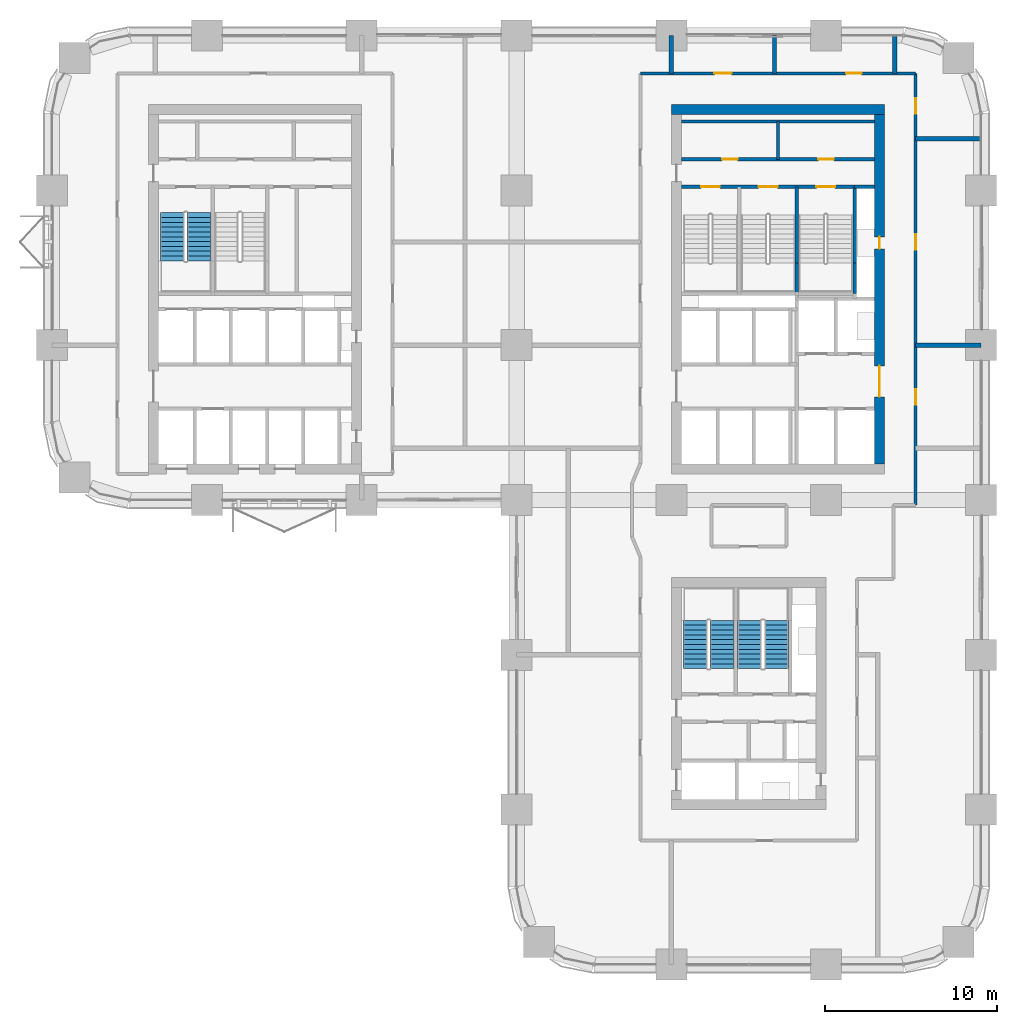
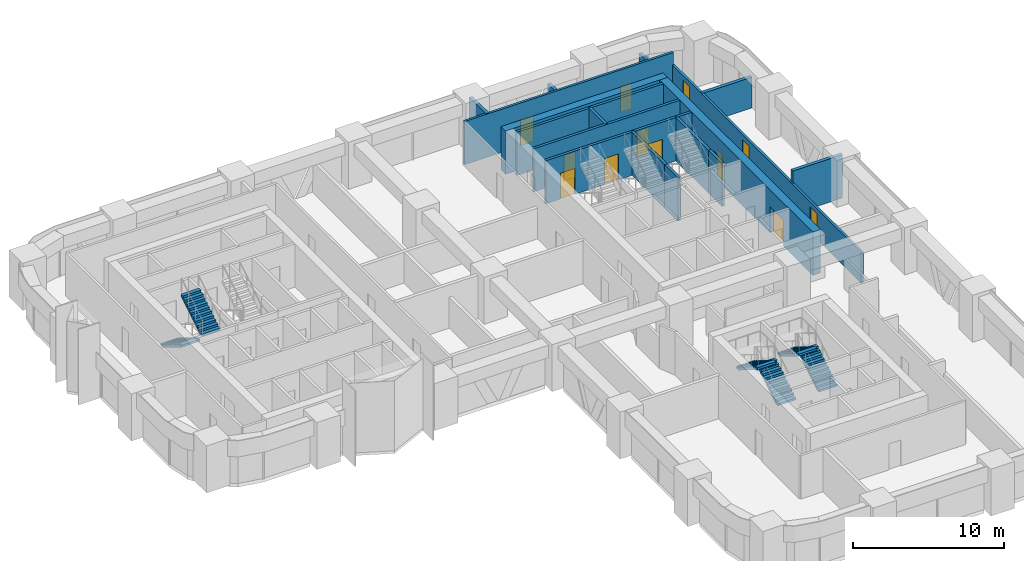
# One storey, part 15 of 18: 18 walls, 12 doors, 6 stair flights, 12 openings, 3 elements without a shape of their own.
"""IFC4 building model written with IfcOpenShell, lengths in metres."""

from ifc_helpers import new_model, si_unit, direction, frame, frame_2d, origin, place, context, subcontext, project, spatial, polyline, rectangle, outline, extrude, material, layer, layer_set, type_object, element, fill, aggregate, save


model = new_model("IFC4")

# Units and contexts
model_context = context("Model", 3, precision=1e-05, world=origin(), true_north=direction((0.0, 1.0)))
body_context = subcontext(model_context, "Body", "Model", "MODEL_VIEW")
ifc_project = project(units=[si_unit("LENGTHUNIT", "METRE"), si_unit("AREAUNIT", "SQUARE_METRE"), si_unit("VOLUMEUNIT", "CUBIC_METRE"), si_unit("PLANEANGLEUNIT", "RADIAN"), si_unit("MASSUNIT", "GRAM", prefix="KILO")], contexts=[model_context])

# Site, building, storey
site_placement = place(None, origin())
site = spatial("IfcSite", under=ifc_project, at=site_placement, CompositionType="ELEMENT")
building_placement = place(site_placement, origin())
building = spatial("IfcBuilding", under=site, at=building_placement, Name="Tessera Arch", CompositionType="ELEMENT")
storey_placement = place(building_placement, frame((0.0, 0.0, 115.800048828125)))
storey = spatial("IfcBuildingStorey", under=building, at=storey_placement, Name="L27", CompositionType="ELEMENT", Elevation=115.800048828125)

# Wall
ifc_material_1 = material(Name="Gypsum board on steel stud", Category="steel")
ifc_layer_1 = layer(ifc_material_1, 0.125)
ifc_layer_set_1 = layer_set([ifc_layer_1], Name="Core partition 125 EI 60")
wall_type_1 = type_object("IfcWallType", Name="Core partition 125 EI 60", PredefinedType="PARTITIONING", material=ifc_layer_set_1)
wall_1_placement = place(storey_placement, frame((42.199951171875, 46.800048828125, 0.0), z_axis=(0.0, 0.0, 1.0), x_axis=(0.0, 1.0, 0.0)))
element("IfcWall", 1, at=wall_1_placement, inside=storey, type_object=wall_type_1, Name="L27 C1 partition wall 7", PredefinedType="PARTITIONING", context=body_context, shape_type="SweptSolid", body=[
    extrude(rectangle(XDim=2.199951171875, YDim=0.199951171875, at=frame_2d((1.10009765625, 0.0))), origin(), (0.0, 0.0, 1.0), 3.5),
])

# Wall, openings, doors
wall_2_placement = place(storey_placement, frame((36.60009765625, 46.800048828125, 0.0), z_axis=(0.0, 0.0, 1.0), x_axis=(1.0, 0.0, 0.0)))
wall_2 = element("IfcWall", 2, at=wall_2_placement, inside=storey, type_object=wall_type_1, Name="L27 C1 partition wall 31", PredefinedType="PARTITIONING", context=body_context, shape_type="SweptSolid", body=[
    extrude(rectangle(XDim=11.199951171875, YDim=0.199951171875, at=frame_2d((5.60009765625, 0.0))), origin(), (0.0, 0.0, 1.0), 3.5),
])
opening_1_placement = place(wall_2_placement, frame((2.35009765625, 0.0, 0.0)))
opening_1 = element("IfcOpeningElement", 3, at=opening_1_placement, cuts=wall_2, Name="Opening L27-C12", PredefinedType="OPENING", context=body_context, shape_type="SweptSolid", body=[
    extrude(rectangle(XDim=0.89990234375, YDim=2.10009765625, at=frame_2d((0.449951171875, 1.050048828125))), frame((0.0, 0.10986328125, 0.0), z_axis=(0.0, -1.0, 0.0), x_axis=(1.0, 0.0, 0.0)), (0.0, 0.0, 1.0), 0.219970703125),
])
opening_2_placement = place(wall_2_placement, frame((7.949951171875, 0.0, 0.0)))
opening_2 = element("IfcOpeningElement", 4, at=opening_2_placement, cuts=wall_2, Name="Opening L27-C13", PredefinedType="OPENING", context=body_context, shape_type="SweptSolid", body=[
    extrude(rectangle(XDim=0.89990234375, YDim=2.10009765625, at=frame_2d((0.449951171875, 1.050048828125))), frame((0.0, 0.10986328125, 0.0), z_axis=(0.0, -1.0, 0.0), x_axis=(1.0, 0.0, 0.0)), (0.0, 0.0, 1.0), 0.219970703125),
])
ifc_material_2 = material(Name="Steel door leaf", Category="steel")
door_type_1 = type_object("IfcDoorType", Name="Store door FD30S 900 x 2100", OperationType="SINGLE_SWING_LEFT", PredefinedType="DOOR", material=ifc_material_2)
door_1_placement = place(opening_1_placement, origin())
door_1 = element("IfcDoor", 5, at=door_1_placement, inside=storey, type_object=door_type_1, Name="L27 C1 door 12 C12 type D09", OperationType="SINGLE_SWING_LEFT", OverallHeight=2.10009765625, OverallWidth=0.89990234375, PredefinedType="DOOR", context=body_context, shape_type="SweptSolid", body=[
    extrude(rectangle(XDim=0.89990234375, YDim=2.10009765625, at=frame_2d((0.449951171875, 1.050048828125))), frame((0.0, 0.02490234375, 0.0), z_axis=(0.0, -1.0, 0.0), x_axis=(1.0, 0.0, 0.0)), (0.0, 0.0, 1.0), 0.050048828125),
])
fill(opening_1, door_1)
door_2_placement = place(opening_2_placement, origin())
door_2 = element("IfcDoor", 6, at=door_2_placement, inside=storey, type_object=door_type_1, Name="L27 C1 door 13 C13 type D09", OperationType="SINGLE_SWING_RIGHT", OverallHeight=2.10009765625, OverallWidth=0.89990234375, PredefinedType="DOOR", context=body_context, shape_type="SweptSolid", body=[
    extrude(rectangle(XDim=0.89990234375, YDim=2.10009765625, at=frame_2d((0.449951171875, 1.050048828125))), frame((0.0, 0.02490234375, 0.0), z_axis=(0.0, -1.0, 0.0), x_axis=(1.0, 0.0, 0.0)), (0.0, 0.0, 1.0), 0.050048828125),
])
fill(opening_2, door_2)

# Walls
wall_3_placement = place(storey_placement, frame((36.60009765625, 49.0, 0.0), z_axis=(0.0, 0.0, 1.0), x_axis=(1.0, 0.0, 0.0)))
element("IfcWall", 7, at=wall_3_placement, inside=storey, type_object=wall_type_1, Name="L27 C1 partition wall 32", PredefinedType="PARTITIONING", context=body_context, shape_type="SweptSolid", body=[
    extrude(rectangle(XDim=11.199951171875, YDim=0.199951171875, at=frame_2d((5.60009765625, 0.0))), origin(), (0.0, 0.0, 1.0), 3.5),
])
ifc_material_3 = material(Name="Concrete C70/85", Category="concrete")
ifc_layer_2 = layer(ifc_material_3, 0.60009765625)
ifc_layer_set_2 = layer_set([ifc_layer_2], Name="Core shell wall 600 C70-85")
wall_type_2 = type_object("IfcWallType", Name="Core shell wall 600 C70-85", PredefinedType="SHEAR", material=ifc_layer_set_2)
wall_4_placement = place(storey_placement, frame((36.0, 49.699951171875, 0.0), z_axis=(0.0, 0.0, 1.0), x_axis=(1.0, 0.0, 0.0)))
element("IfcWall", 8, at=wall_4_placement, inside=storey, type_object=wall_type_2, Name="L27 C1 core wall N", PredefinedType="SHEAR", context=body_context, shape_type="SweptSolid", body=[
    extrude(rectangle(XDim=12.39990234375, YDim=0.60009765625, at=frame_2d((6.199951171875, 0.0))), origin(), (0.0, 0.0, 1.0), 3.5),
])

# Wall, openings, doors
wall_5_placement = place(storey_placement, frame((48.10009765625, 29.10009765625, 0.0), z_axis=(0.0, 0.0, 1.0), x_axis=(0.0, 1.0, 0.0)))
wall_5 = element("IfcWall", 9, at=wall_5_placement, inside=storey, type_object=wall_type_2, Name="L27 C1 core wall E", PredefinedType="SHEAR", context=body_context, shape_type="SweptSolid", body=[
    extrude(rectangle(XDim=20.2998046875, YDim=0.60009765625, at=frame_2d((10.14990234375, 0.0))), origin(), (0.0, 0.0, 1.0), 3.5),
])
opening_3_placement = place(wall_5_placement, frame((12.5, 0.0, 0.0)))
opening_3 = element("IfcOpeningElement", 10, at=opening_3_placement, cuts=wall_5, Name="Opening L27-C08", PredefinedType="OPENING", context=body_context, shape_type="SweptSolid", body=[
    extrude(rectangle(XDim=0.699951171875, YDim=2.10009765625, at=frame_2d((0.35009765625, 1.050048828125))), frame((0.0, 0.31005859375, 0.0), z_axis=(0.0, -1.0, 0.0), x_axis=(1.0, 0.0, 0.0)), (0.0, 0.0, 1.0), 0.6201171875),
])
opening_4_placement = place(wall_5_placement, frame((3.89990234375, 0.0, 0.0)))
opening_4 = element("IfcOpeningElement", 11, at=opening_4_placement, cuts=wall_5, Name="Opening L27-C09", PredefinedType="OPENING", context=body_context, shape_type="SweptSolid", body=[
    extrude(rectangle(XDim=1.800048828125, YDim=2.10009765625, at=frame_2d((0.89990234375, 1.050048828125))), frame((0.0, 0.31005859375, 0.0), z_axis=(0.0, -1.0, 0.0), x_axis=(1.0, 0.0, 0.0)), (0.0, 0.0, 1.0), 0.6201171875),
])
ifc_material_4 = material(Name="Glazed steel door leaf", Category="steel")
door_type_2 = type_object("IfcDoorType", Name="Lobby double door FD60 1800 x 2100", OperationType="DOUBLE_DOOR_SINGLE_SWING", PredefinedType="DOOR", material=ifc_material_4)
door_3_placement = place(opening_4_placement, origin())
door_3 = element("IfcDoor", 12, at=door_3_placement, inside=storey, type_object=door_type_2, Name="L27 C1 door 9 C09 type D19", OperationType="DOUBLE_DOOR_SINGLE_SWING", OverallHeight=2.10009765625, OverallWidth=1.800048828125, PredefinedType="DOOR", context=body_context, shape_type="SweptSolid", body=[
    extrude(rectangle(XDim=1.800048828125, YDim=2.10009765625, at=frame_2d((0.89990234375, 1.050048828125))), frame((0.0, 0.02490234375, 0.0), z_axis=(0.0, -1.0, 0.0), x_axis=(1.0, 0.0, 0.0)), (0.0, 0.0, 1.0), 0.050048828125),
])
fill(opening_4, door_3)
ifc_material_5 = material(Name="Steel door leaf", Category="steel")
door_type_3 = type_object("IfcDoorType", Name="Service shaft door FD60 700 x 2100", OperationType="SINGLE_SWING_LEFT", PredefinedType="DOOR", material=ifc_material_5)
door_4_placement = place(opening_3_placement, origin())
door_4 = element("IfcDoor", 13, at=door_4_placement, inside=storey, type_object=door_type_3, Name="L27 C1 door 8 C08 type D07", OperationType="SINGLE_SWING_RIGHT", OverallHeight=2.10009765625, OverallWidth=0.699951171875, PredefinedType="DOOR", context=body_context, shape_type="SweptSolid", body=[
    extrude(rectangle(XDim=0.699951171875, YDim=2.10009765625, at=frame_2d((0.35009765625, 1.050048828125))), frame((0.0, 0.02490234375, 0.0), z_axis=(0.0, -1.0, 0.0), x_axis=(1.0, 0.0, 0.0)), (0.0, 0.0, 1.0), 0.050048828125),
])
fill(opening_3, door_4)

ifc_material_6 = material(Name="Gypsum board on deep steel stud with mineral wool", Category="steel")
ifc_layer_3 = layer(ifc_material_6, 0.175048828125)
ifc_layer_set_3 = layer_set([ifc_layer_3], Name="Corridor wall 175 EI 60")
wall_type_3 = type_object("IfcWallType", Name="Corridor wall 175 EI 60", PredefinedType="PARTITIONING", material=ifc_layer_set_3)
wall_6_placement = place(storey_placement, frame((34.199951171875, 51.800048828125, 0.0), z_axis=(0.0, 0.0, 1.0), x_axis=(1.0, 0.0, 0.0)))
wall_6 = element("IfcWall", 14, at=wall_6_placement, inside=storey, type_object=wall_type_3, Name="L27 partition 9", PredefinedType="PARTITIONING", context=body_context, shape_type="SweptSolid", body=[
    extrude(rectangle(XDim=16.0, YDim=0.175048828125, at=frame_2d((8.0, 0.0))), origin(), (0.0, 0.0, 1.0), 3.5),
])
opening_5_placement = place(wall_6_placement, frame((4.300048828125, 0.0, 0.0)))
opening_5 = element("IfcOpeningElement", 15, at=opening_5_placement, cuts=wall_6, Name="Opening L27-D020", PredefinedType="OPENING", context=body_context, shape_type="SweptSolid", body=[
    extrude(rectangle(XDim=1.0, YDim=2.10009765625, at=frame_2d((0.5, 1.050048828125))), frame((0.0, 0.097412109375, 0.0), z_axis=(0.0, -1.0, 0.0), x_axis=(1.0, 0.0, 0.0)), (0.0, 0.0, 1.0), 0.195068359375),
])
opening_6_placement = place(wall_6_placement, frame((11.963134765625, 0.0, 0.0)))
opening_6 = element("IfcOpeningElement", 16, at=opening_6_placement, cuts=wall_6, Name="Opening L27-D021", PredefinedType="OPENING", context=body_context, shape_type="SweptSolid", body=[
    extrude(rectangle(XDim=0.89990234375, YDim=2.10009765625, at=frame_2d((0.449951171875, 1.050048828125))), frame((0.0, 0.097412109375, 0.0), z_axis=(0.0, -1.0, 0.0), x_axis=(1.0, 0.0, 0.0)), (0.0, 0.0, 1.0), 0.195068359375),
])
ifc_material_7 = material(Name="Fire-rated door leaf")
door_type_4 = type_object("IfcDoorType", Name="Entrance door FD30S 1000 x 2100", OperationType="SINGLE_SWING_LEFT", PredefinedType="DOOR", material=ifc_material_7)
door_5_placement = place(opening_5_placement, origin())
door_5 = element("IfcDoor", 17, at=door_5_placement, inside=storey, type_object=door_type_4, Name="L27 door D020 type D03", OperationType="SINGLE_SWING_RIGHT", OverallHeight=2.10009765625, OverallWidth=1.0, PredefinedType="DOOR", context=body_context, shape_type="SweptSolid", body=[
    extrude(rectangle(XDim=1.0, YDim=2.10009765625, at=frame_2d((0.5, 1.050048828125))), frame((0.0, 0.02490234375, 0.0), z_axis=(0.0, -1.0, 0.0), x_axis=(1.0, 0.0, 0.0)), (0.0, 0.0, 1.0), 0.050048828125),
])
fill(opening_5, door_5)
ifc_material_8 = material(Name="Timber door leaf", Category="wood")
door_type_5 = type_object("IfcDoorType", Name="Room door 900 x 2100", OperationType="SINGLE_SWING_LEFT", PredefinedType="DOOR", material=ifc_material_8)
door_6_placement = place(opening_6_placement, origin())
door_6 = element("IfcDoor", 18, at=door_6_placement, inside=storey, type_object=door_type_5, Name="L27 door D021 type D01", OperationType="SINGLE_SWING_LEFT", OverallHeight=2.10009765625, OverallWidth=0.89990234375, PredefinedType="DOOR", context=body_context, shape_type="SweptSolid", body=[
    extrude(rectangle(XDim=0.89990234375, YDim=2.10009765625, at=frame_2d((0.449951171875, 1.050048828125))), frame((0.0, 0.02490234375, 0.0), z_axis=(0.0, -1.0, 0.0), x_axis=(1.0, 0.0, 0.0)), (0.0, 0.0, 1.0), 0.050048828125),
])
fill(opening_6, door_6)

wall_7_placement = place(storey_placement, frame((50.199951171875, 26.699951171875, 0.0), z_axis=(0.0, 0.0, 1.0), x_axis=(0.0, 1.0, 0.0)))
wall_7 = element("IfcWall", 19, at=wall_7_placement, inside=storey, type_object=wall_type_3, Name="L27 partition 19", PredefinedType="PARTITIONING", context=body_context, shape_type="SweptSolid", body=[
    extrude(rectangle(XDim=25.10009765625, YDim=0.175048828125, at=frame_2d((12.550048828125, 0.0))), origin(), (0.0, 0.0, 1.0), 2.5),
])
opening_7_placement = place(wall_7_placement, frame((5.85009765625, 0.0, 0.0)))
opening_7 = element("IfcOpeningElement", 20, at=opening_7_placement, cuts=wall_7, Name="Opening L27-D011", PredefinedType="OPENING", context=body_context, shape_type="SweptSolid", body=[
    extrude(rectangle(XDim=0.89990234375, YDim=2.10009765625, at=frame_2d((0.449951171875, 1.050048828125))), frame((0.0, 0.097412109375, 0.0), z_axis=(0.0, -1.0, 0.0), x_axis=(1.0, 0.0, 0.0)), (0.0, 0.0, 1.0), 0.195068359375),
])
opening_8_placement = place(wall_7_placement, frame((14.85009765625, 0.0, 0.0)))
opening_8 = element("IfcOpeningElement", 21, at=opening_8_placement, cuts=wall_7, Name="Opening L27-D014", PredefinedType="OPENING", context=body_context, shape_type="SweptSolid", body=[
    extrude(rectangle(XDim=0.89990234375, YDim=2.10009765625, at=frame_2d((0.449951171875, 1.050048828125))), frame((0.0, 0.097412109375, 0.0), z_axis=(0.0, -1.0, 0.0), x_axis=(1.0, 0.0, 0.0)), (0.0, 0.0, 1.0), 0.195068359375),
])
opening_9_placement = place(wall_7_placement, frame((22.75, 0.0, 0.0)))
opening_9 = element("IfcOpeningElement", 22, at=opening_9_placement, cuts=wall_7, Name="Opening L27-D018", PredefinedType="OPENING", context=body_context, shape_type="SweptSolid", body=[
    extrude(rectangle(XDim=0.89990234375, YDim=2.10009765625, at=frame_2d((0.449951171875, 1.050048828125))), frame((0.0, 0.097412109375, 0.0), z_axis=(0.0, -1.0, 0.0), x_axis=(1.0, 0.0, 0.0)), (0.0, 0.0, 1.0), 0.195068359375),
])
door_7_placement = place(opening_7_placement, origin())
door_7 = element("IfcDoor", 23, at=door_7_placement, inside=storey, type_object=door_type_5, Name="L27 door D011 type D01", OperationType="SINGLE_SWING_RIGHT", OverallHeight=2.10009765625, OverallWidth=0.89990234375, PredefinedType="DOOR", context=body_context, shape_type="SweptSolid", body=[
    extrude(rectangle(XDim=0.89990234375, YDim=2.10009765625, at=frame_2d((0.449951171875, 1.050048828125))), frame((0.0, 0.02490234375, 0.0), z_axis=(0.0, -1.0, 0.0), x_axis=(1.0, 0.0, 0.0)), (0.0, 0.0, 1.0), 0.050048828125),
])
fill(opening_7, door_7)
door_8_placement = place(opening_8_placement, origin())
door_8 = element("IfcDoor", 24, at=door_8_placement, inside=storey, type_object=door_type_5, Name="L27 door D014 type D01", OperationType="SINGLE_SWING_LEFT", OverallHeight=2.10009765625, OverallWidth=0.89990234375, PredefinedType="DOOR", context=body_context, shape_type="SweptSolid", body=[
    extrude(rectangle(XDim=0.89990234375, YDim=2.10009765625, at=frame_2d((0.449951171875, 1.050048828125))), frame((0.0, 0.02490234375, 0.0), z_axis=(0.0, -1.0, 0.0), x_axis=(1.0, 0.0, 0.0)), (0.0, 0.0, 1.0), 0.050048828125),
])
fill(opening_8, door_8)
door_9_placement = place(opening_9_placement, origin())
door_9 = element("IfcDoor", 25, at=door_9_placement, inside=storey, type_object=door_type_5, Name="L27 door D018 type D01", OperationType="SINGLE_SWING_LEFT", OverallHeight=2.10009765625, OverallWidth=0.89990234375, PredefinedType="DOOR", context=body_context, shape_type="SweptSolid", body=[
    extrude(rectangle(XDim=0.89990234375, YDim=2.10009765625, at=frame_2d((0.449951171875, 1.050048828125))), frame((0.0, 0.02490234375, 0.0), z_axis=(0.0, -1.0, 0.0), x_axis=(1.0, 0.0, 0.0)), (0.0, 0.0, 1.0), 0.050048828125),
])
fill(opening_9, door_9)

# Walls
ifc_material_9 = material(Name="Double gypsum board on twin steel stud with acoustic mineral wool", Category="steel")
ifc_layer_4 = layer(ifc_material_9, 0.25)
ifc_layer_set_4 = layer_set([ifc_layer_4], Name="Party wall 250 EI 60")
wall_type_4 = type_object("IfcWallType", Name="Party wall 250 EI 60", PredefinedType="PARTITIONING", material=ifc_layer_set_4)
wall_8_placement = place(storey_placement, frame((50.199951171875, 36.0, 0.0), z_axis=(0.0, 0.0, 1.0), x_axis=(1.0, 0.0, 0.0)))
element("IfcWall", 26, at=wall_8_placement, inside=storey, type_object=wall_type_4, Name="L27 partition 27", PredefinedType="PARTITIONING", context=body_context, shape_type="SweptSolid", body=[
    extrude(rectangle(XDim=3.800048828125, YDim=0.25, at=frame_2d((1.89990234375, 0.0))), origin(), (0.0, 0.0, 1.0), 3.5),
])
wall_9_placement = place(storey_placement, frame((50.199951171875, 48.0, 0.0), z_axis=(0.0, 0.0, 1.0), x_axis=(1.0, 0.0, 0.0)))
element("IfcWall", 27, at=wall_9_placement, inside=storey, type_object=wall_type_4, Name="L27 partition 29", PredefinedType="PARTITIONING", context=body_context, shape_type="SweptSolid", body=[
    extrude(rectangle(XDim=3.800048828125, YDim=0.25, at=frame_2d((1.89990234375, 0.0))), origin(), (0.0, 0.0, 1.0), 2.5),
])
wall_10_placement = place(storey_placement, frame((36.0, 51.800048828125, 0.0), z_axis=(0.0, 0.0, 1.0), x_axis=(0.0, 1.0, 0.0)))
element("IfcWall", 28, at=wall_10_placement, inside=storey, type_object=wall_type_4, Name="L27 partition 36", PredefinedType="PARTITIONING", context=body_context, shape_type="SweptSolid", body=[
    extrude(rectangle(XDim=2.199951171875, YDim=0.25, at=frame_2d((1.10009765625, 0.0))), origin(), (0.0, 0.0, 1.0), 3.5),
])
for number, where, z_axis, x_axis, name in (
    (29, (42.0, 51.800048828125, 0.0), (0.0, 0.0, 1.0), (0.0, 1.0, 0.0), "L27 partition 37"),
    (30, (48.989990234375, 51.800048828125, 0.0), (0.0, 0.0, 1.0), (0.0, 1.0, 0.0), "L27 partition 39"),
):
    element("IfcWall", number, at=place(storey_placement, frame(where, z_axis=z_axis, x_axis=x_axis)), inside=storey, type_object=wall_type_4, Name=name, PredefinedType="PARTITIONING", context=body_context, shape_type="SweptSolid", body=[
        extrude(rectangle(XDim=2.199951171875, YDim=0.25, at=frame_2d((1.10009765625, 0.0))), origin(), (0.0, 0.0, 1.0), 2.5),
    ])
ifc_material_10 = material(Name="Concrete C40/50", Category="concrete")
ifc_layer_5 = layer(ifc_material_10, 0.199951171875)
ifc_layer_set_5 = layer_set([ifc_layer_5], Name="Shaft wall 200 EI 120")
wall_type_5 = type_object("IfcWallType", Name="Shaft wall 200 EI 120", PredefinedType="SOLIDWALL", material=ifc_layer_set_5)
wall_11_placement = place(storey_placement, frame((46.64990234375, 45.199951171875, 0.0), z_axis=(0.0, 0.0, 1.0), x_axis=(1.0, 0.0, 0.0)))
element("IfcWall", 31, at=wall_11_placement, inside=storey, type_object=wall_type_5, Name="L27 C1 shaft wall 29", PredefinedType="SOLIDWALL", context=body_context, shape_type="SweptSolid", body=[
    extrude(rectangle(XDim=1.150146484375, YDim=0.199951171875, at=frame_2d((0.5751953125, 0.0))), origin(), (0.0, 0.0, 1.0), 3.5),
])
ifc_material_11 = material(Name="Concrete C40/50", Category="concrete")
ifc_layer_6 = layer(ifc_material_11, 0.199951171875)
ifc_layer_set_6 = layer_set([ifc_layer_6], Name="Stair well wall 200 REI 180")
wall_type_6 = type_object("IfcWallType", Name="Stair well wall 200 REI 180", PredefinedType="SOLIDWALL", material=ifc_layer_set_6)
wall_12_placement = place(storey_placement, frame((43.300048828125, 39.0, 0.0), z_axis=(0.0, 0.0, 1.0), x_axis=(0.0, 1.0, 0.0)))
element("IfcWall", 32, at=wall_12_placement, inside=storey, type_object=wall_type_6, Name="L27 C1 shaft wall 11", PredefinedType="SOLIDWALL", context=body_context, shape_type="SweptSolid", body=[
    extrude(rectangle(XDim=1.780029296875, YDim=0.199951171875, at=frame_2d((0.89013671875, 0.0))), origin(), (0.0, 0.0, 1.0), 3.5),
])
wall_13_placement = place(storey_placement, frame((43.300048828125, 40.780029296875, 0.0), z_axis=(0.0, 0.0, 1.0), x_axis=(0.0, 1.0, 0.0)))
element("IfcWall", 33, at=wall_13_placement, inside=storey, type_object=wall_type_6, Name="L27 C1 shaft wall 12", PredefinedType="SOLIDWALL", context=body_context, shape_type="SweptSolid", body=[
    extrude(rectangle(XDim=4.419921875, YDim=0.199951171875, at=frame_2d((2.2099609375, 0.0))), origin(), (0.0, 0.0, 1.0), 3.5),
])
wall_14_placement = place(storey_placement, frame((46.64990234375, 39.0, 0.0), z_axis=(0.0, 0.0, 1.0), x_axis=(0.0, 1.0, 0.0)))
element("IfcWall", 34, at=wall_14_placement, inside=storey, type_object=wall_type_6, Name="L27 C1 shaft wall 16", PredefinedType="SOLIDWALL", context=body_context, shape_type="SweptSolid", body=[
    extrude(rectangle(XDim=1.780029296875, YDim=0.199951171875, at=frame_2d((0.89013671875, 0.0))), origin(), (0.0, 0.0, 1.0), 3.5),
])
wall_15_placement = place(storey_placement, frame((46.64990234375, 40.780029296875, 0.0), z_axis=(0.0, 0.0, 1.0), x_axis=(0.0, 1.0, 0.0)))
element("IfcWall", 35, at=wall_15_placement, inside=storey, type_object=wall_type_6, Name="L27 C1 shaft wall 17", PredefinedType="SOLIDWALL", context=body_context, shape_type="SweptSolid", body=[
    extrude(rectangle(XDim=4.419921875, YDim=0.199951171875, at=frame_2d((2.2099609375, 0.0))), origin(), (0.0, 0.0, 1.0), 3.5),
])

# Wall, openings, doors
wall_16_placement = place(storey_placement, frame((36.60009765625, 45.199951171875, 0.0), z_axis=(0.0, 0.0, 1.0), x_axis=(1.0, 0.0, 0.0)))
wall_16 = element("IfcWall", 36, at=wall_16_placement, inside=storey, type_object=wall_type_6, Name="L27 C1 shaft wall 30", PredefinedType="SOLIDWALL", context=body_context, shape_type="SweptSolid", body=[
    extrude(rectangle(XDim=10.0498046875, YDim=0.199951171875, at=frame_2d((5.02490234375, 0.0))), origin(), (0.0, 0.0, 1.0), 3.5),
])
opening_10_placement = place(wall_16_placement, frame((1.125, 0.0, 0.0)))
opening_10 = element("IfcOpeningElement", 37, at=opening_10_placement, cuts=wall_16, Name="Opening L27-C05", PredefinedType="OPENING", context=body_context, shape_type="SweptSolid", body=[
    extrude(rectangle(XDim=1.10009765625, YDim=2.10009765625, at=frame_2d((0.550048828125, 1.050048828125))), frame((0.0, 0.10986328125, 0.0), z_axis=(0.0, -1.0, 0.0), x_axis=(1.0, 0.0, 0.0)), (0.0, 0.0, 1.0), 0.219970703125),
])
opening_11_placement = place(wall_16_placement, frame((4.47509765625, 0.0, 0.0)))
opening_11 = element("IfcOpeningElement", 38, at=opening_11_placement, cuts=wall_16, Name="Opening L27-C06", PredefinedType="OPENING", context=body_context, shape_type="SweptSolid", body=[
    extrude(rectangle(XDim=1.10009765625, YDim=2.10009765625, at=frame_2d((0.550048828125, 1.050048828125))), frame((0.0, 0.10986328125, 0.0), z_axis=(0.0, -1.0, 0.0), x_axis=(1.0, 0.0, 0.0)), (0.0, 0.0, 1.0), 0.219970703125),
])
opening_12_placement = place(wall_16_placement, frame((7.824951171875, 0.0, 0.0)))
opening_12 = element("IfcOpeningElement", 39, at=opening_12_placement, cuts=wall_16, Name="Opening L27-C07", PredefinedType="OPENING", context=body_context, shape_type="SweptSolid", body=[
    extrude(rectangle(XDim=1.10009765625, YDim=2.10009765625, at=frame_2d((0.550048828125, 1.050048828125))), frame((0.0, 0.10986328125, 0.0), z_axis=(0.0, -1.0, 0.0), x_axis=(1.0, 0.0, 0.0)), (0.0, 0.0, 1.0), 0.219970703125),
])
ifc_material_12 = material(Name="Steel door leaf", Category="steel")
door_type_6 = type_object("IfcDoorType", Name="Stair door FD60 1100 x 2100", OperationType="SINGLE_SWING_LEFT", PredefinedType="DOOR", material=ifc_material_12)
door_10_placement = place(opening_10_placement, origin())
door_10 = element("IfcDoor", 40, at=door_10_placement, inside=storey, type_object=door_type_6, Name="L27 C1 door 5 C05 type D05", OperationType="SINGLE_SWING_LEFT", OverallHeight=2.10009765625, OverallWidth=1.10009765625, PredefinedType="DOOR", context=body_context, shape_type="SweptSolid", body=[
    extrude(rectangle(XDim=1.10009765625, YDim=2.10009765625, at=frame_2d((0.550048828125, 1.050048828125))), frame((0.0, 0.02490234375, 0.0), z_axis=(0.0, -1.0, 0.0), x_axis=(1.0, 0.0, 0.0)), (0.0, 0.0, 1.0), 0.050048828125),
])
fill(opening_10, door_10)
door_11_placement = place(opening_11_placement, origin())
door_11 = element("IfcDoor", 41, at=door_11_placement, inside=storey, type_object=door_type_6, Name="L27 C1 door 6 C06 type D05", OperationType="SINGLE_SWING_RIGHT", OverallHeight=2.10009765625, OverallWidth=1.10009765625, PredefinedType="DOOR", context=body_context, shape_type="SweptSolid", body=[
    extrude(rectangle(XDim=1.10009765625, YDim=2.10009765625, at=frame_2d((0.550048828125, 1.050048828125))), frame((0.0, 0.02490234375, 0.0), z_axis=(0.0, -1.0, 0.0), x_axis=(1.0, 0.0, 0.0)), (0.0, 0.0, 1.0), 0.050048828125),
])
fill(opening_11, door_11)
door_12_placement = place(opening_12_placement, origin())
door_12 = element("IfcDoor", 42, at=door_12_placement, inside=storey, type_object=door_type_6, Name="L27 C1 door 7 C07 type D05", OperationType="SINGLE_SWING_RIGHT", OverallHeight=2.10009765625, OverallWidth=1.10009765625, PredefinedType="DOOR", context=body_context, shape_type="SweptSolid", body=[
    extrude(rectangle(XDim=1.10009765625, YDim=2.10009765625, at=frame_2d((0.550048828125, 1.050048828125))), frame((0.0, 0.02490234375, 0.0), z_axis=(0.0, -1.0, 0.0), x_axis=(1.0, 0.0, 0.0)), (0.0, 0.0, 1.0), 0.050048828125),
])
fill(opening_12, door_12)

# Stair, stair flights
ifc_material_13 = material(Name="Concrete C40/50", Category="concrete")
stair_type = type_object("IfcStairType", Name="Dogleg stair 1400", PredefinedType="HALF_TURN_STAIR", material=ifc_material_13)
stair_1_placement = place(storey_placement, origin())
stair_1 = element("IfcStair", 43, at=stair_1_placement, inside=storey, type_object=stair_type, Name="L27 S2a", PredefinedType="HALF_TURN_STAIR")
ifc_material_14 = material(Name="Concrete C40/50", Category="concrete")
stair_flight_type = type_object("IfcStairFlightType", Name="Stair flight 1400", PredefinedType="STRAIGHT", material=ifc_material_14)
stair_flight_1_placement = place(storey_placement, frame((7.0, 43.699951171875, 0.0), z_axis=(0.0, 0.0, 1.0), x_axis=(0.0, -1.0, 0.0)))
stair_flight_1 = element("IfcStairFlight", 44, at=stair_flight_1_placement, type_object=stair_flight_type, Name="S2a flight 1", NumberOfRisers=11, NumberOfTreads=10, PredefinedType="STRAIGHT", RiserHeight=0.172727273, TreadLength=0.28, context=body_context, shape_type="SweptSolid", body=[
    extrude(outline(polyline([(0.0, 0.0), (0.0, 0.172607421875), (0.280029296875, 0.172607421875), (0.280029296875, 0.345458984375), (0.56005859375, 0.345458984375), (0.56005859375, 0.51806640625), (0.840087890625, 0.51806640625), (0.840087890625, 0.69091796875), (1.1201171875, 0.69091796875), (1.1201171875, 0.863525390625), (1.39990234375, 0.863525390625), (1.39990234375, 1.036376953125), (1.679931640625, 1.036376953125), (1.679931640625, 1.208984375), (1.9599609375, 1.208984375), (1.9599609375, 1.3818359375), (2.239990234375, 1.3818359375), (2.239990234375, 1.554443359375), (2.52001953125, 1.554443359375), (2.52001953125, 1.727294921875), (2.800048828125, 1.727294921875), (2.800048828125, 1.89990234375), (2.800048828125, 1.551025390625), (0.285400390625, 0.0), (0.0, 0.0)])), frame((0.0, 0.699951171875, 0.0), z_axis=(0.0, -1.0, 0.0), x_axis=(1.0, 0.0, 0.0)), (0.0, 0.0, 1.0), 1.39990234375),
])
stair_flight_2_placement = place(storey_placement, frame((8.550048828125, 40.89990234375, 1.89990234375), z_axis=(0.0, 0.0, 1.0), x_axis=(0.0, 1.0, 0.0)))
stair_flight_2 = element("IfcStairFlight", 45, at=stair_flight_2_placement, type_object=stair_flight_type, Name="S2a flight 2", NumberOfRisers=11, NumberOfTreads=10, PredefinedType="STRAIGHT", RiserHeight=0.172727273, TreadLength=0.28, context=body_context, shape_type="SweptSolid", body=[
    extrude(outline(polyline([(0.0, 0.0), (0.0, 0.172607421875), (0.280029296875, 0.172607421875), (0.280029296875, 0.345458984375), (0.56005859375, 0.345458984375), (0.56005859375, 0.51806640625), (0.840087890625, 0.51806640625), (0.840087890625, 0.69091796875), (1.1201171875, 0.69091796875), (1.1201171875, 0.863525390625), (1.39990234375, 0.863525390625), (1.39990234375, 1.036376953125), (1.679931640625, 1.036376953125), (1.679931640625, 1.208984375), (1.9599609375, 1.208984375), (1.9599609375, 1.3818359375), (2.239990234375, 1.3818359375), (2.239990234375, 1.554443359375), (2.52001953125, 1.554443359375), (2.52001953125, 1.727294921875), (2.800048828125, 1.727294921875), (2.800048828125, 1.89990234375), (2.800048828125, 1.551025390625), (0.285400390625, 0.0), (0.0, 0.0)])), frame((0.0, 0.699951171875, 0.0), z_axis=(0.0, -1.0, 0.0), x_axis=(1.0, 0.0, 0.0)), (0.0, 0.0, 1.0), 1.39990234375),
])
aggregate(stair_1, [stair_flight_1, stair_flight_2])

stair_2_placement = place(storey_placement, origin())
stair_2 = element("IfcStair", 46, at=stair_2_placement, inside=storey, type_object=stair_type, Name="L27 S3a", PredefinedType="HALF_TURN_STAIR")
stair_flight_3_placement = place(storey_placement, frame((38.949951171875, 17.199951171875, 0.0), z_axis=(0.0, 0.0, 1.0), x_axis=(0.0, 1.0, 0.0)))
stair_flight_3 = element("IfcStairFlight", 47, at=stair_flight_3_placement, type_object=stair_flight_type, Name="S3a flight 1", NumberOfRisers=11, NumberOfTreads=10, PredefinedType="STRAIGHT", RiserHeight=0.172727273, TreadLength=0.28, context=body_context, shape_type="SweptSolid", body=[
    extrude(outline(polyline([(0.0, 0.0), (0.0, 0.172607421875), (0.280029296875, 0.172607421875), (0.280029296875, 0.345458984375), (0.56005859375, 0.345458984375), (0.56005859375, 0.51806640625), (0.840087890625, 0.51806640625), (0.840087890625, 0.69091796875), (1.1201171875, 0.69091796875), (1.1201171875, 0.863525390625), (1.39990234375, 0.863525390625), (1.39990234375, 1.036376953125), (1.679931640625, 1.036376953125), (1.679931640625, 1.208984375), (1.9599609375, 1.208984375), (1.9599609375, 1.3818359375), (2.239990234375, 1.3818359375), (2.239990234375, 1.554443359375), (2.52001953125, 1.554443359375), (2.52001953125, 1.727294921875), (2.800048828125, 1.727294921875), (2.800048828125, 1.89990234375), (2.800048828125, 1.551025390625), (0.285400390625, 0.0), (0.0, 0.0)])), frame((0.0, 0.699951171875, 0.0), z_axis=(0.0, -1.0, 0.0), x_axis=(1.0, 0.0, 0.0)), (0.0, 0.0, 1.0), 1.39990234375),
])
stair_flight_4_placement = place(storey_placement, frame((37.39990234375, 20.0, 1.89990234375), z_axis=(0.0, 0.0, 1.0), x_axis=(0.0, -1.0, 0.0)))
stair_flight_4 = element("IfcStairFlight", 48, at=stair_flight_4_placement, type_object=stair_flight_type, Name="S3a flight 2", NumberOfRisers=11, NumberOfTreads=10, PredefinedType="STRAIGHT", RiserHeight=0.172727273, TreadLength=0.28, context=body_context, shape_type="SweptSolid", body=[
    extrude(outline(polyline([(0.0, 0.0), (0.0, 0.172607421875), (0.280029296875, 0.172607421875), (0.280029296875, 0.345458984375), (0.56005859375, 0.345458984375), (0.56005859375, 0.51806640625), (0.840087890625, 0.51806640625), (0.840087890625, 0.69091796875), (1.1201171875, 0.69091796875), (1.1201171875, 0.863525390625), (1.39990234375, 0.863525390625), (1.39990234375, 1.036376953125), (1.679931640625, 1.036376953125), (1.679931640625, 1.208984375), (1.9599609375, 1.208984375), (1.9599609375, 1.3818359375), (2.239990234375, 1.3818359375), (2.239990234375, 1.554443359375), (2.52001953125, 1.554443359375), (2.52001953125, 1.727294921875), (2.800048828125, 1.727294921875), (2.800048828125, 1.89990234375), (2.800048828125, 1.551025390625), (0.285400390625, 0.0), (0.0, 0.0)])), frame((0.0, 0.699951171875, 0.0), z_axis=(0.0, -1.0, 0.0), x_axis=(1.0, 0.0, 0.0)), (0.0, 0.0, 1.0), 1.39990234375),
])
aggregate(stair_2, [stair_flight_3, stair_flight_4])

stair_3_placement = place(storey_placement, origin())
stair_3 = element("IfcStair", 49, at=stair_3_placement, inside=storey, type_object=stair_type, Name="L27 S3b", PredefinedType="HALF_TURN_STAIR")
stair_flight_5_placement = place(storey_placement, frame((42.10009765625, 17.199951171875, 0.0), z_axis=(0.0, 0.0, 1.0), x_axis=(0.0, 1.0, 0.0)))
stair_flight_5 = element("IfcStairFlight", 50, at=stair_flight_5_placement, type_object=stair_flight_type, Name="S3b flight 1", NumberOfRisers=11, NumberOfTreads=10, PredefinedType="STRAIGHT", RiserHeight=0.172727273, TreadLength=0.28, context=body_context, shape_type="SweptSolid", body=[
    extrude(outline(polyline([(0.0, 0.0), (0.0, 0.172607421875), (0.280029296875, 0.172607421875), (0.280029296875, 0.345458984375), (0.56005859375, 0.345458984375), (0.56005859375, 0.51806640625), (0.840087890625, 0.51806640625), (0.840087890625, 0.69091796875), (1.1201171875, 0.69091796875), (1.1201171875, 0.863525390625), (1.39990234375, 0.863525390625), (1.39990234375, 1.036376953125), (1.679931640625, 1.036376953125), (1.679931640625, 1.208984375), (1.9599609375, 1.208984375), (1.9599609375, 1.3818359375), (2.239990234375, 1.3818359375), (2.239990234375, 1.554443359375), (2.52001953125, 1.554443359375), (2.52001953125, 1.727294921875), (2.800048828125, 1.727294921875), (2.800048828125, 1.89990234375), (2.800048828125, 1.551025390625), (0.285400390625, 0.0), (0.0, 0.0)])), frame((0.0, 0.699951171875, 0.0), z_axis=(0.0, -1.0, 0.0), x_axis=(1.0, 0.0, 0.0)), (0.0, 0.0, 1.0), 1.39990234375),
])
stair_flight_6_placement = place(storey_placement, frame((40.550048828125, 20.0, 1.89990234375), z_axis=(0.0, 0.0, 1.0), x_axis=(0.0, -1.0, 0.0)))
stair_flight_6 = element("IfcStairFlight", 51, at=stair_flight_6_placement, type_object=stair_flight_type, Name="S3b flight 2", NumberOfRisers=11, NumberOfTreads=10, PredefinedType="STRAIGHT", RiserHeight=0.172727273, TreadLength=0.28, context=body_context, shape_type="SweptSolid", body=[
    extrude(outline(polyline([(0.0, 0.0), (0.0, 0.172607421875), (0.280029296875, 0.172607421875), (0.280029296875, 0.345458984375), (0.56005859375, 0.345458984375), (0.56005859375, 0.51806640625), (0.840087890625, 0.51806640625), (0.840087890625, 0.69091796875), (1.1201171875, 0.69091796875), (1.1201171875, 0.863525390625), (1.39990234375, 0.863525390625), (1.39990234375, 1.036376953125), (1.679931640625, 1.036376953125), (1.679931640625, 1.208984375), (1.9599609375, 1.208984375), (1.9599609375, 1.3818359375), (2.239990234375, 1.3818359375), (2.239990234375, 1.554443359375), (2.52001953125, 1.554443359375), (2.52001953125, 1.727294921875), (2.800048828125, 1.727294921875), (2.800048828125, 1.89990234375), (2.800048828125, 1.551025390625), (0.285400390625, 0.0), (0.0, 0.0)])), frame((0.0, 0.699951171875, 0.0), z_axis=(0.0, -1.0, 0.0), x_axis=(1.0, 0.0, 0.0)), (0.0, 0.0, 1.0), 1.39990234375),
])
aggregate(stair_3, [stair_flight_5, stair_flight_6])

save(model, "model.ifc")
